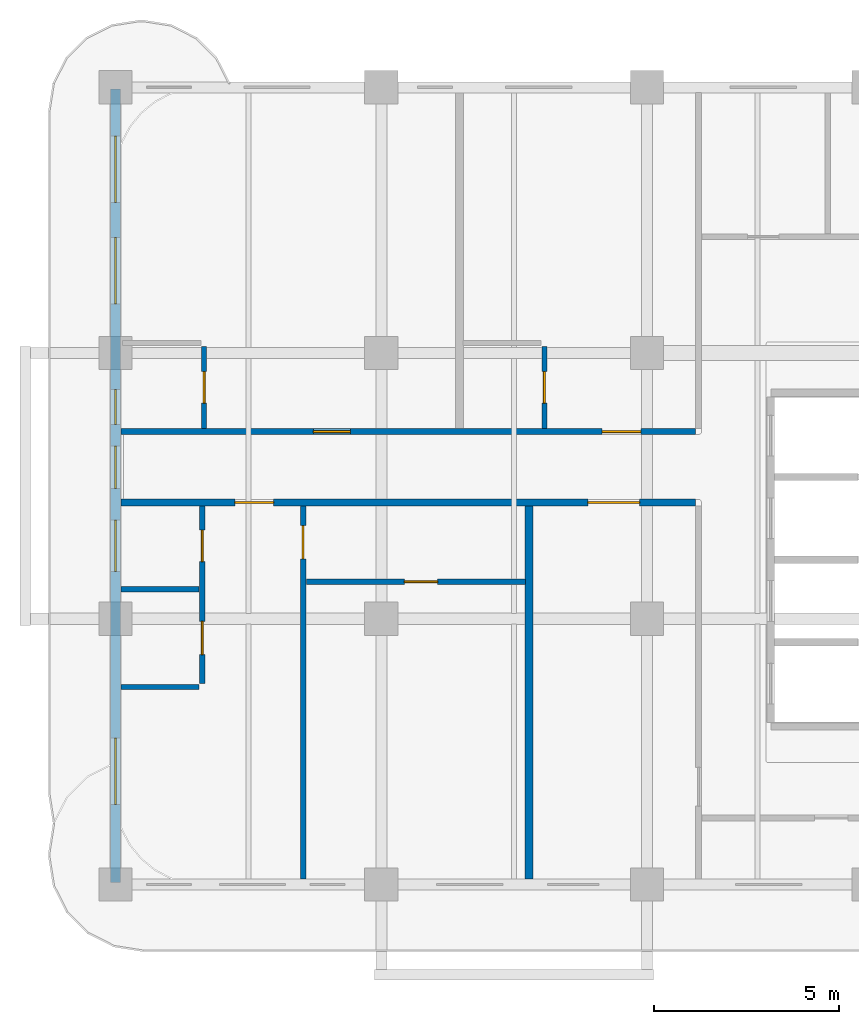
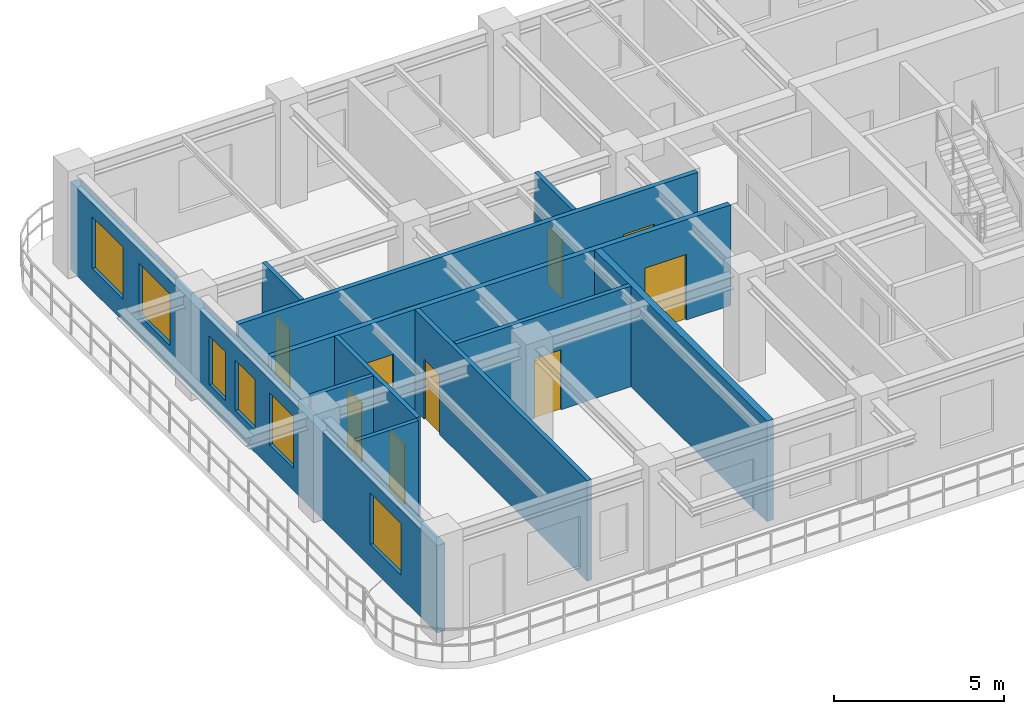
# One storey, part 2 of 7: 11 walls, 10 doors, 6 windows, 16 openings.
"""IFC4 building model written with IfcOpenShell, lengths in metres."""

import ifcopenshell
import ifcopenshell.guid

model = None  # the IFC model being written
_history = None  # IfcOwnerHistory: only IFC2X3 demands one
_inside = {}  # id of a spatial element -> (the spatial element, [elements in it])
_under = {}  # id of a project, library or spatial element -> (it, [spatial elements below it])
_declared = {}  # id of a project -> (the project, [libraries it declares])
_typed = {}  # id of a type object -> (the type object, [elements of that type])
_made_of = {}  # id of a material, layer set ... -> (it, [elements and type objects made of it])


def new_model(schema):
    """Start an empty IFC model of exactly this schema.

    Asked for "IFC4X3", IfcOpenShell would pick the latest addendum, in which some entities
    have other attributes; the version numbers below select the first issue.
    IFC2X3 requires an IfcOwnerHistory on every rooted entity: one is made here for all.
    """
    global model, _history
    if schema == "IFC4X3":
        model = ifcopenshell.file(schema_version=(4, 3, 0, 0))
    else:
        model = ifcopenshell.file(schema=schema)
    _inside.clear()
    _under.clear()
    _declared.clear()
    _typed.clear()
    _made_of.clear()
    _history = None
    if model.schema == "IFC2X3":
        org = make("IfcOrganization", Name="unknown")
        user = make(
            "IfcPersonAndOrganization",
            ThePerson=make("IfcPerson", FamilyName="unknown"),
            TheOrganization=org,
        )
        app = make(
            "IfcApplication",
            ApplicationDeveloper=org,
            Version="unknown",
            ApplicationFullName="unknown",
            ApplicationIdentifier="unknown",
        )
        _history = make(
            "IfcOwnerHistory",
            OwningUser=user,
            OwningApplication=app,
            ChangeAction="ADDED",
            CreationDate=0,
        )
    return model


def make(cls, **values):
    """One entity of the class cls with the attributes given. An attribute that is None is left unset."""
    return model.create_entity(
        cls, **{name: value for name, value in values.items() if value is not None}
    )


def rooted(cls, **values):
    """An entity with a GlobalId (a new one), such as an element, a storey or a relation."""
    return make(cls, GlobalId=ifcopenshell.guid.new(), OwnerHistory=_history, **values)


def si_unit(unit_type, name, prefix=None):
    """IfcSIUnit, for example si_unit("LENGTHUNIT", "METRE", prefix="MILLI")."""
    return make("IfcSIUnit", UnitType=unit_type, Prefix=prefix, Name=name)


def derived_unit(unit_type, elements):
    """IfcDerivedUnit: a product of units, each with its exponent."""
    return make(
        "IfcDerivedUnit",
        Elements=[
            make("IfcDerivedUnitElement", Unit=unit, Exponent=power)
            for unit, power in elements
        ],
        UnitType=unit_type,
    )


def assignment(units):
    """IfcUnitAssignment: the units of a project."""
    return None if units is None else make("IfcUnitAssignment", Units=units)


def point(xyz):
    """IfcCartesianPoint."""
    return None if xyz is None else make("IfcCartesianPoint", Coordinates=xyz)


def direction(xyz):
    """IfcDirection."""
    return None if xyz is None else make("IfcDirection", DirectionRatios=xyz)


def frame(location, z_axis=None, x_axis=None):
    """IfcAxis2Placement3D, a coordinate frame: its origin and axes. An axis left out is left unset."""
    return make(
        "IfcAxis2Placement3D",
        Location=point(location),
        Axis=direction(z_axis),
        RefDirection=direction(x_axis),
    )


def frame_2d(location, x_axis=None):
    """IfcAxis2Placement2D, a coordinate frame in the plane: its origin and x axis."""
    return make(
        "IfcAxis2Placement2D", Location=point(location), RefDirection=direction(x_axis)
    )


def origin():
    """The frame at (0, 0, 0) with its axes left unset."""
    return frame((0.0, 0.0, 0.0))


def place(relative_to, where):
    """IfcLocalPlacement: puts the frame where relative to a parent placement (None: the world)."""
    return make(
        "IfcLocalPlacement", PlacementRelTo=relative_to, RelativePlacement=where
    )


def context(
    kind, dimensions, precision=None, world=None, true_north=None, identifier=None
):
    """IfcGeometricRepresentationContext, for example the 3D "Model" context."""
    return make(
        "IfcGeometricRepresentationContext",
        ContextIdentifier=identifier,
        ContextType=kind,
        CoordinateSpaceDimension=dimensions,
        Precision=precision,
        WorldCoordinateSystem=world,
        TrueNorth=true_north,
    )


def subcontext(parent, identifier, kind, view, scale=None):
    """IfcGeometricRepresentationSubContext, for example "Body" below "Model"."""
    return make(
        "IfcGeometricRepresentationSubContext",
        ContextIdentifier=identifier,
        ContextType=kind,
        ParentContext=parent,
        TargetScale=scale,
        TargetView=view,
    )


def project(units=None, contexts=None):
    """IfcProject with its units and contexts."""
    return rooted(
        "IfcProject",
        Name="project",
        RepresentationContexts=contexts,
        UnitsInContext=assignment(units),
    )


def spatial(cls, under=None, at=None, **own):
    """A site, building, storey or space (cls), placed at a placement, below another one or the project."""
    s = rooted(cls, ObjectPlacement=at, **own)
    if under is not None:
        _under.setdefault(under.id(), (under, []))[1].append(s)
    return s


def profile(cls, at=None, kind="AREA", **sizes):
    """A parametric profile (cls). Its sizes go by their IFC names, for example OverallWidth=200.0."""
    return make(cls, ProfileType=kind, Position=at, **sizes)


def rectangle(**sizes):
    """IfcRectangleProfileDef."""
    return profile("IfcRectangleProfileDef", **sizes)


def extrude(swept, where, along, depth):
    """IfcExtrudedAreaSolid: the profile swept, set in the frame where, extruded along a direction by depth."""
    return make(
        "IfcExtrudedAreaSolid",
        SweptArea=swept,
        Position=where,
        ExtrudedDirection=direction(along),
        Depth=depth,
    )


def shape(context_of_items, identifier, shape_type, items):
    """IfcShapeRepresentation: the items that make up one representation, for example the "Body"."""
    return make(
        "IfcShapeRepresentation",
        ContextOfItems=context_of_items,
        RepresentationIdentifier=identifier,
        RepresentationType=shape_type,
        Items=items,
    )


def source(mapping_origin, context_of_items, identifier, shape_type, items):
    """IfcRepresentationMap: a shape defined once, which mapped items show again and again."""
    return make(
        "IfcRepresentationMap",
        MappingOrigin=mapping_origin,
        MappedRepresentation=shape(context_of_items, identifier, shape_type, items),
    )


def transform(
    local_origin,
    x_axis=None,
    y_axis=None,
    z_axis=None,
    scale=None,
    scale2=None,
    scale3=None,
    uniform=True,
):
    """IfcCartesianTransformationOperator3D, or its non-uniform kind. x_axis, y_axis, z_axis: its Axis1, 2, 3."""
    if uniform:
        return make(
            "IfcCartesianTransformationOperator3D",
            Axis1=direction(x_axis),
            Axis2=direction(y_axis),
            LocalOrigin=point(local_origin),
            Scale=scale,
            Axis3=direction(z_axis),
        )
    return make(
        "IfcCartesianTransformationOperator3DnonUniform",
        Axis1=direction(x_axis),
        Axis2=direction(y_axis),
        LocalOrigin=point(local_origin),
        Scale=scale,
        Axis3=direction(z_axis),
        Scale2=scale2,
        Scale3=scale3,
    )


def mapped(mapping_source, mapping_target):
    """IfcMappedItem: shows the shape of a source again, moved by a transform."""
    return make(
        "IfcMappedItem", MappingSource=mapping_source, MappingTarget=mapping_target
    )


def material(Name=None, Category=None):
    """IfcMaterial."""
    return make("IfcMaterial", Name=Name, Category=Category)


def layer(
    of_material, thickness, ventilated=None, Name=None, Category=None, Priority=None
):
    """IfcMaterialLayer: one layer of a wall or slab, of a material (None: an air gap)."""
    return make(
        "IfcMaterialLayer",
        Material=of_material,
        LayerThickness=thickness,
        IsVentilated=ventilated,
        Name=Name,
        Category=Category,
        Priority=Priority,
    )


def layer_set(layers, Name=None):
    """IfcMaterialLayerSet."""
    return make("IfcMaterialLayerSet", MaterialLayers=layers, LayerSetName=Name)


def made_of(thing, what):
    """Note that an element or type object is made of a material, layer set ...; save() writes the relation."""
    if what is not None:
        _made_of.setdefault(what.id(), (what, []))[1].append(thing)
    return thing


def type_object(cls, material=None, **own):
    """A type object (cls), such as IfcWallType, which elements share."""
    return made_of(rooted(cls, **own), material)


def type_shapes(of_type, sources):
    """Give a type object the sources (RepresentationMaps) that its elements show as mapped items."""
    of_type.RepresentationMaps = sources


def element(
    cls,
    number,
    at=None,
    inside=None,
    cuts=None,
    type_object=None,
    material=None,
    context=None,
    identifier="Body",
    shape_type=None,
    held_by="IfcProductDefinitionShape",
    body=None,
    shapes=None,
    **own,
):
    """One element of the class cls, such as IfcWall. Its Tag is "e" and its number.

    at: its placement. inside: the storey or other place that contains it. cuts: it is an
    opening in that element (IfcRelVoidsElement). A single representation is given by context,
    identifier, shape_type and body (its items); several are given by shapes. held_by: the class
    of the entity that holds the representations. save() writes the other relations.
    """
    e = rooted(cls, Tag="e%d" % number, ObjectPlacement=at, **own)
    if body is not None:
        shapes = [shape(context, identifier, shape_type, body)]
    if shapes is not None:
        e.Representation = make(held_by, Representations=shapes)
    if inside is not None:
        _inside.setdefault(inside.id(), (inside, []))[1].append(e)
    if cuts is not None:
        rooted(
            "IfcRelVoidsElement", RelatingBuildingElement=cuts, RelatedOpeningElement=e
        )
    if type_object is not None:
        _typed.setdefault(type_object.id(), (type_object, []))[1].append(e)
    return made_of(e, material)


def fill(opening, filler):
    """IfcRelFillsElement: the door or window that sits in an opening."""
    return rooted(
        "IfcRelFillsElement",
        RelatingOpeningElement=opening,
        RelatedBuildingElement=filler,
    )


def aggregate(whole, parts):
    """IfcRelAggregates: a whole, such as a stair, and the parts it consists of."""
    return rooted("IfcRelAggregates", RelatingObject=whole, RelatedObjects=parts)


def save(model, path):
    """Write the relations noted so far, then the file.

    IfcRelAggregates (storeys below a building ...), IfcRelContainedInSpatialStructure (elements
    in a storey), IfcRelDefinesByType, IfcRelAssociatesMaterial and IfcRelDeclares: one each for
    every whole, place, type object, material and project.
    """
    for whole, parts in _under.values():
        aggregate(whole, parts)
    for where, things in _inside.values():
        rooted(
            "IfcRelContainedInSpatialStructure",
            RelatedElements=things,
            RelatingStructure=where,
        )
    for kind, things in _typed.values():
        rooted("IfcRelDefinesByType", RelatedObjects=things, RelatingType=kind)
    for what, things in _made_of.values():
        rooted("IfcRelAssociatesMaterial", RelatedObjects=things, RelatingMaterial=what)
    for by, libraries in _declared.values():
        rooted("IfcRelDeclares", RelatingContext=by, RelatedDefinitions=libraries)
    model.write(path)


model = new_model("IFC4")

# Units and contexts
model_context = context("Model", 3, precision=1e-05, world=origin(), true_north=direction((0.0, 1.0)))
body_context = subcontext(model_context, "Body", "Model", "MODEL_VIEW")
ifc_project = project(units=[si_unit("LENGTHUNIT", "METRE"), si_unit("AREAUNIT", "SQUARE_METRE"), si_unit("VOLUMEUNIT", "CUBIC_METRE"), si_unit("PLANEANGLEUNIT", "RADIAN"), si_unit("MASSUNIT", "GRAM", prefix="KILO"), si_unit("THERMODYNAMICTEMPERATUREUNIT", "KELVIN"), si_unit("POWERUNIT", "WATT"), derived_unit("THERMALTRANSMITTANCEUNIT", [(si_unit("POWERUNIT", "WATT"), 1), (si_unit("AREAUNIT", "SQUARE_METRE"), -1), (si_unit("THERMODYNAMICTEMPERATUREUNIT", "KELVIN"), -1)])], contexts=[model_context])

# Site, building, storey
site_placement = place(None, origin())
site = spatial("IfcSite", under=ifc_project, at=site_placement, CompositionType="ELEMENT")
building_placement = place(site_placement, origin())
building = spatial("IfcBuilding", under=site, at=building_placement, Name="Zahravan Archway Hotel and Residences", CompositionType="ELEMENT")
storey_placement = place(building_placement, frame((0.0, 0.0, 236.550048828125)))
storey = spatial("IfcBuildingStorey", under=building, at=storey_placement, Name="L59", CompositionType="ELEMENT", Elevation=236.550048828125)

# Wall, openings, windows
ifc_material_1 = material(Name="Honed Red-Ochre Sandstone & Insulated Block", Category="masonry")
ifc_layer_1 = layer(ifc_material_1, 0.280029296875, Name="Honed Red-Ochre Sandstone & Insulated Block", Category="masonry")
ifc_layer_set_1 = layer_set([ifc_layer_1], Name="Honed Red-Ochre Sandstone & Insulated Block")
wall_type_1 = type_object("IfcWallType", Name="EW-LOG-280", PredefinedType="SOLIDWALL", material=ifc_layer_set_1)
wall_1_placement = place(storey_placement, frame((14.39990234375, 0.050048828125, 0.0), z_axis=(0.0, 0.0, 1.0), x_axis=(0.0, 1.0, 0.0)))
wall_1 = element("IfcWall", 1, at=wall_1_placement, inside=storey, type_object=wall_type_1, Name="L59 Exterior Sandstone Wall WA-W", PredefinedType="SOLIDWALL", context=body_context, shape_type="SweptSolid", body=[
    extrude(rectangle(XDim=21.5, YDim=0.280029296875, at=frame_2d((10.75, 0.0))), origin(), (0.0, 0.0, 1.0), 3.135009765625),
])
opening_1_placement = place(wall_1_placement, frame((2.12109375, 0.0, 0.800048828125)))
opening_1 = element("IfcOpeningElement", 2, at=opening_1_placement, cuts=wall_1, Name="Opening W-02", PredefinedType="OPENING", context=body_context, shape_type="SweptSolid", body=[
    extrude(rectangle(XDim=1.800048828125, YDim=1.85009765625, at=frame_2d((0.89990234375, 0.925048828125))), frame((0.0, 0.14990234375, 0.0), z_axis=(0.0, -1.0, 0.0), x_axis=(1.0, 0.0, 0.0)), (0.0, 0.0, 1.0), 0.300048828125),
])
opening_2_placement = place(wall_1_placement, frame((8.425048828125, 0.0, 0.800048828125)))
opening_2 = element("IfcOpeningElement", 3, at=opening_2_placement, cuts=wall_1, Name="Opening W-03", PredefinedType="OPENING", context=body_context, shape_type="SweptSolid", body=[
    extrude(rectangle(XDim=1.39990234375, YDim=1.85009765625, at=frame_2d((0.699951171875, 0.925048828125))), frame((0.0, 0.14990234375, 0.0), z_axis=(0.0, -1.0, 0.0), x_axis=(1.0, 0.0, 0.0)), (0.0, 0.0, 1.0), 0.300048828125),
])
opening_3_placement = place(wall_1_placement, frame((10.68505859375, 0.0, 0.800048828125)))
opening_3 = element("IfcOpeningElement", 4, at=opening_3_placement, cuts=wall_1, Name="Opening W-05", PredefinedType="OPENING", context=body_context, shape_type="SweptSolid", body=[
    extrude(rectangle(XDim=1.14990234375, YDim=1.800048828125, at=frame_2d((0.574951171875, 0.89990234375))), frame((0.0, 0.14990234375, 0.0), z_axis=(0.0, -1.0, 0.0), x_axis=(1.0, 0.0, 0.0)), (0.0, 0.0, 1.0), 0.300048828125),
])
opening_4_placement = place(wall_1_placement, frame((12.4140625, 0.0, 0.800048828125)))
opening_4 = element("IfcOpeningElement", 5, at=opening_4_placement, cuts=wall_1, Name="Opening W-04", PredefinedType="OPENING", context=body_context, shape_type="SweptSolid", body=[
    extrude(rectangle(XDim=0.949951171875, YDim=1.75, at=frame_2d((0.47509765625, 0.875))), frame((0.0, 0.14990234375, 0.0), z_axis=(0.0, -1.0, 0.0), x_axis=(1.0, 0.0, 0.0)), (0.0, 0.0, 1.0), 0.300048828125),
])
opening_5_placement = place(wall_1_placement, frame((15.675048828125, 0.0, 0.800048828125)))
opening_5 = element("IfcOpeningElement", 6, at=opening_5_placement, cuts=wall_1, Name="Opening W-02", PredefinedType="OPENING", context=body_context, shape_type="SweptSolid", body=[
    extrude(rectangle(XDim=1.800048828125, YDim=1.85009765625, at=frame_2d((0.89990234375, 0.925048828125))), frame((0.0, 0.14990234375, 0.0), z_axis=(0.0, -1.0, 0.0), x_axis=(1.0, 0.0, 0.0)), (0.0, 0.0, 1.0), 0.300048828125),
])
opening_6_placement = place(wall_1_placement, frame((18.425048828125, 0.0, 0.800048828125)))
opening_6 = element("IfcOpeningElement", 7, at=opening_6_placement, cuts=wall_1, Name="Opening W-02", PredefinedType="OPENING", context=body_context, shape_type="SweptSolid", body=[
    extrude(rectangle(XDim=1.800048828125, YDim=1.85009765625, at=frame_2d((0.89990234375, 0.925048828125))), frame((0.0, 0.14990234375, 0.0), z_axis=(0.0, -1.0, 0.0), x_axis=(1.0, 0.0, 0.0)), (0.0, 0.0, 1.0), 0.300048828125),
])
ifc_material_2 = material(Name="Bronze-Anodized Thermal-Break Aluminium & Low-E Glass", Category="aluminium")
window_type_1 = type_object("IfcWindowType", Name="WIN-TWR-1400", PartitioningType="SINGLE_PANEL", PredefinedType="WINDOW", material=ifc_material_2)
shared_shape_1 = source(origin(), body_context, "Body", "SweptSolid", [
    extrude(rectangle(XDim=1.39990234375, YDim=1.85009765625, at=frame_2d((0.699951171875, 0.925048828125))), frame((0.0, 0.030029296875, 0.0), z_axis=(0.0, -1.0, 0.0), x_axis=(1.0, 0.0, 0.0)), (0.0, 0.0, 1.0), 0.06005859375),
])
type_shapes(window_type_1, [shared_shape_1])
window_1_placement = place(opening_2_placement, origin())
window_1 = element("IfcWindow", 8, at=window_1_placement, inside=storey, type_object=window_type_1, Name="L59 Loggia Window 20", OverallHeight=1.85009765625, OverallWidth=1.39990234375, PartitioningType="SINGLE_PANEL", PredefinedType="WINDOW", context=body_context, shape_type="MappedRepresentation", body=[
    mapped(shared_shape_1, transform((0.0, 0.0, 0.0), scale=1.0)),
])
fill(opening_2, window_1)
window_type_2 = type_object("IfcWindowType", Name="WIN-NAR-950", PartitioningType="SINGLE_PANEL", PredefinedType="WINDOW", material=ifc_material_2)
shared_shape_2 = source(origin(), body_context, "Body", "SweptSolid", [
    extrude(rectangle(XDim=0.949951171875, YDim=1.75, at=frame_2d((0.47509765625, 0.875))), frame((0.0, 0.030029296875, 0.0), z_axis=(0.0, -1.0, 0.0), x_axis=(1.0, 0.0, 0.0)), (0.0, 0.0, 1.0), 0.06005859375),
])
type_shapes(window_type_2, [shared_shape_2])
window_2_placement = place(opening_4_placement, origin())
window_2 = element("IfcWindow", 9, at=window_2_placement, inside=storey, type_object=window_type_2, Name="L59 Loggia Window 22", OverallHeight=1.75, OverallWidth=0.949951171875, PartitioningType="SINGLE_PANEL", PredefinedType="WINDOW", context=body_context, shape_type="MappedRepresentation", body=[
    mapped(shared_shape_2, transform((0.0, 0.0, 0.0), scale=1.0)),
])
fill(opening_4, window_2)
window_type_3 = type_object("IfcWindowType", Name="WIN-TWR-1800", PartitioningType="DOUBLE_PANEL_VERTICAL", PredefinedType="WINDOW", material=ifc_material_2)
shared_shape_3 = source(origin(), body_context, "Body", "SweptSolid", [
    extrude(rectangle(XDim=1.800048828125, YDim=1.85009765625, at=frame_2d((0.89990234375, 0.925048828125))), frame((0.0, 0.030029296875, 0.0), z_axis=(0.0, -1.0, 0.0), x_axis=(1.0, 0.0, 0.0)), (0.0, 0.0, 1.0), 0.06005859375),
])
type_shapes(window_type_3, [shared_shape_3])
window_3_placement = place(opening_1_placement, origin())
window_3 = element("IfcWindow", 10, at=window_3_placement, inside=storey, type_object=window_type_3, Name="L59 Loggia Window 19", OverallHeight=1.85009765625, OverallWidth=1.800048828125, PartitioningType="DOUBLE_PANEL_VERTICAL", PredefinedType="WINDOW", context=body_context, shape_type="MappedRepresentation", body=[
    mapped(shared_shape_3, transform((0.0, 0.0, 0.0), scale=1.0)),
])
fill(opening_1, window_3)
window_4_placement = place(opening_5_placement, origin())
window_4 = element("IfcWindow", 11, at=window_4_placement, inside=storey, type_object=window_type_3, Name="L59 Loggia Window 23", OverallHeight=1.85009765625, OverallWidth=1.800048828125, PartitioningType="DOUBLE_PANEL_VERTICAL", PredefinedType="WINDOW", context=body_context, shape_type="MappedRepresentation", body=[
    mapped(shared_shape_3, transform((0.0, 0.0, 0.0), scale=1.0)),
])
fill(opening_5, window_4)
window_5_placement = place(opening_6_placement, origin())
window_5 = element("IfcWindow", 12, at=window_5_placement, inside=storey, type_object=window_type_3, Name="L59 Loggia Window 24", OverallHeight=1.85009765625, OverallWidth=1.800048828125, PartitioningType="DOUBLE_PANEL_VERTICAL", PredefinedType="WINDOW", context=body_context, shape_type="MappedRepresentation", body=[
    mapped(shared_shape_3, transform((0.0, 0.0, 0.0), scale=1.0)),
])
fill(opening_6, window_5)
window_type_4 = type_object("IfcWindowType", Name="WIN-TWR-1150", PartitioningType="SINGLE_PANEL", PredefinedType="WINDOW", material=ifc_material_2)
shared_shape_4 = source(origin(), body_context, "Body", "SweptSolid", [
    extrude(rectangle(XDim=1.14990234375, YDim=1.800048828125, at=frame_2d((0.574951171875, 0.89990234375))), frame((0.0, 0.030029296875, 0.0), z_axis=(0.0, -1.0, 0.0), x_axis=(1.0, 0.0, 0.0)), (0.0, 0.0, 1.0), 0.06005859375),
])
type_shapes(window_type_4, [shared_shape_4])
window_6_placement = place(opening_3_placement, origin())
window_6 = element("IfcWindow", 13, at=window_6_placement, inside=storey, type_object=window_type_4, Name="L59 Loggia Window 21", OverallHeight=1.800048828125, OverallWidth=1.14990234375, PartitioningType="SINGLE_PANEL", PredefinedType="WINDOW", context=body_context, shape_type="MappedRepresentation", body=[
    mapped(shared_shape_4, transform((0.0, 0.0, 0.0), scale=1.0)),
])
fill(opening_3, window_6)

# Wall
ifc_material_3 = material(Name="Fire-Rated Gypsum & Concrete Block", Category="concrete")
ifc_layer_2 = layer(ifc_material_3, 0.219970703125, Name="Fire-Rated Gypsum & Concrete Block", Category="concrete")
ifc_layer_set_2 = layer_set([ifc_layer_2], Name="Fire-Rated Gypsum & Concrete Block")
wall_type_2 = type_object("IfcWallType", Name="PW-COMP-220", PredefinedType="PARTITIONING", material=ifc_layer_set_2)
wall_2_placement = place(storey_placement, frame((25.60009765625, 0.14794921875, 0.0), z_axis=(0.0, 0.0, 1.0), x_axis=(0.0, 1.0, 0.0)))
element("IfcWall", 14, at=wall_2_placement, inside=storey, type_object=wall_type_2, Name="L59 Partition WAS-R3", PredefinedType="PARTITIONING", context=body_context, shape_type="SweptSolid", body=[
    extrude(rectangle(XDim=10.112060546875, YDim=0.219970703125, at=frame_2d((5.05615234375, 0.0))), origin(), (0.0, 0.0, 1.0), 3.599853515625),
])

# Wall, openings, doors
ifc_layer_3 = layer(ifc_material_3, 0.159912109375, Name="Fire-Rated Gypsum & Concrete Block", Category="concrete")
ifc_layer_set_3 = layer_set([ifc_layer_3], Name="Fire-Rated Gypsum & Concrete Block")
wall_type_3 = type_object("IfcWallType", Name="PW-CORR-160", PredefinedType="PARTITIONING", material=ifc_layer_set_3)
wall_3_placement = place(storey_placement, frame((14.548095703125, 12.27001953125, 0.0), z_axis=(0.0, 0.0, 1.0), x_axis=(1.0, 0.0, 0.0)))
wall_3 = element("IfcWall", 15, at=wall_3_placement, inside=storey, type_object=wall_type_3, Name="L59 Partition WA-CN", PredefinedType="PARTITIONING", context=body_context, shape_type="SweptSolid", body=[
    extrude(rectangle(XDim=15.56201171875, YDim=0.159912109375, at=frame_2d((7.781005859375, 0.0))), origin(), (0.0, 0.0, 1.0), 3.599853515625),
])
opening_7_placement = place(wall_3_placement, frame((5.2119140625, 0.0, 0.0)))
opening_7 = element("IfcOpeningElement", 16, at=opening_7_placement, cuts=wall_3, Name="Opening D-U2", PredefinedType="OPENING", context=body_context, shape_type="SweptSolid", body=[
    extrude(rectangle(XDim=1.0, YDim=2.199951171875, at=frame_2d((0.5, 1.10009765625))), frame((0.0, 0.08984375, 0.0), z_axis=(0.0, -1.0, 0.0), x_axis=(1.0, 0.0, 0.0)), (0.0, 0.0, 1.0), 0.179931640625),
])
opening_8_placement = place(wall_3_placement, frame((13.037109375, 0.0, 0.0)))
opening_8 = element("IfcOpeningElement", 17, at=opening_8_placement, cuts=wall_3, Name="Opening D-U1", PredefinedType="OPENING", context=body_context, shape_type="SweptSolid", body=[
    extrude(rectangle(XDim=1.050048828125, YDim=2.25, at=frame_2d((0.52490234375, 1.125))), frame((0.0, 0.08984375, 0.0), z_axis=(0.0, -1.0, 0.0), x_axis=(1.0, 0.0, 0.0)), (0.0, 0.0, 1.0), 0.179931640625),
])
ifc_material_4 = material(Name="Hardwood Veneer Timber", Category="wood")
door_type_1 = type_object("IfcDoorType", Name="ID-UNIT-1050", OperationType="NOTDEFINED", PredefinedType="DOOR", material=ifc_material_4)
shared_shape_5 = source(origin(), body_context, "Body", "SweptSolid", [
    extrude(rectangle(XDim=1.050048828125, YDim=2.25, at=frame_2d((0.52490234375, 1.125))), frame((0.0, 0.02490234375, 0.0), z_axis=(0.0, -1.0, 0.0), x_axis=(1.0, 0.0, 0.0)), (0.0, 0.0, 1.0), 0.050048828125),
])
type_shapes(door_type_1, [shared_shape_5])
door_1_placement = place(opening_8_placement, origin())
door_1 = element("IfcDoor", 18, at=door_1_placement, inside=storey, type_object=door_type_1, Name="L59 Hotel Guestroom 86 Entrance Door", OperationType="SINGLE_SWING_LEFT", OverallHeight=2.25, OverallWidth=1.050048828125, PredefinedType="DOOR", context=body_context, shape_type="MappedRepresentation", body=[
    mapped(shared_shape_5, transform((0.0, 0.0, 0.0), scale=1.0)),
])
fill(opening_8, door_1)
door_type_2 = type_object("IfcDoorType", Name="ID-UNIT-1000", OperationType="NOTDEFINED", PredefinedType="DOOR", material=ifc_material_4)
shared_shape_6 = source(origin(), body_context, "Body", "SweptSolid", [
    extrude(rectangle(XDim=1.0, YDim=2.199951171875, at=frame_2d((0.5, 1.10009765625))), frame((0.0, 0.02490234375, 0.0), z_axis=(0.0, -1.0, 0.0), x_axis=(1.0, 0.0, 0.0)), (0.0, 0.0, 1.0), 0.050048828125),
])
type_shapes(door_type_2, [shared_shape_6])
door_2_placement = place(opening_7_placement, origin())
door_2 = element("IfcDoor", 19, at=door_2_placement, inside=storey, type_object=door_type_2, Name="L59 Hotel Guestroom 85 Entrance Door", OperationType="SINGLE_SWING_RIGHT", OverallHeight=2.199951171875, OverallWidth=1.0, PredefinedType="DOOR", context=body_context, shape_type="MappedRepresentation", body=[
    mapped(shared_shape_6, transform((0.0, 0.0, 0.0), scale=1.0)),
])
fill(opening_7, door_2)

ifc_layer_4 = layer(ifc_material_3, 0.179931640625, Name="Fire-Rated Gypsum & Concrete Block", Category="concrete")
ifc_layer_set_4 = layer_set([ifc_layer_4], Name="Fire-Rated Gypsum & Concrete Block")
wall_type_4 = type_object("IfcWallType", Name="PW-CORR-180", PredefinedType="PARTITIONING", material=ifc_layer_set_4)
wall_4_placement = place(storey_placement, frame((14.548095703125, 10.35009765625, 0.0), z_axis=(0.0, 0.0, 1.0), x_axis=(1.0, 0.0, 0.0)))
wall_4 = element("IfcWall", 20, at=wall_4_placement, inside=storey, type_object=wall_type_4, Name="L59 Partition WA-CS", PredefinedType="PARTITIONING", context=body_context, shape_type="SweptSolid", body=[
    extrude(rectangle(XDim=15.56201171875, YDim=0.179931640625, at=frame_2d((7.781005859375, 0.0))), origin(), (0.0, 0.0, 1.0), 3.599853515625),
])
opening_9_placement = place(wall_4_placement, frame((3.08203125, 0.0, 0.0)))
opening_9 = element("IfcOpeningElement", 21, at=opening_9_placement, cuts=wall_4, Name="Opening D-U1", PredefinedType="OPENING", context=body_context, shape_type="SweptSolid", body=[
    extrude(rectangle(XDim=1.050048828125, YDim=2.25, at=frame_2d((0.52490234375, 1.125))), frame((0.0, 0.10009765625, 0.0), z_axis=(0.0, -1.0, 0.0), x_axis=(1.0, 0.0, 0.0)), (0.0, 0.0, 1.0), 0.199951171875),
])
opening_10_placement = place(wall_4_placement, frame((12.652099609375, 0.0, 0.0)))
opening_10 = element("IfcOpeningElement", 22, at=opening_10_placement, cuts=wall_4, Name="Opening D-P1", PredefinedType="OPENING", context=body_context, shape_type="SweptSolid", body=[
    extrude(rectangle(XDim=1.39990234375, YDim=2.35009765625, at=frame_2d((0.699951171875, 1.175048828125))), frame((0.0, 0.10009765625, 0.0), z_axis=(0.0, -1.0, 0.0), x_axis=(1.0, 0.0, 0.0)), (0.0, 0.0, 1.0), 0.199951171875),
])
ifc_material_5 = material(Name="Bronze-Anodized Glazed Aluminium", Category="aluminium")
door_type_3 = type_object("IfcDoorType", Name="ID-PUBLIC-1400", OperationType="DOUBLE_DOOR_SINGLE_SWING", PredefinedType="DOOR", material=ifc_material_5)
shared_shape_7 = source(origin(), body_context, "Body", "SweptSolid", [
    extrude(rectangle(XDim=1.39990234375, YDim=2.35009765625, at=frame_2d((0.699951171875, 1.175048828125))), frame((0.0, 0.02490234375, 0.0), z_axis=(0.0, -1.0, 0.0), x_axis=(1.0, 0.0, 0.0)), (0.0, 0.0, 1.0), 0.050048828125),
])
type_shapes(door_type_3, [shared_shape_7])
door_3_placement = place(opening_10_placement, origin())
door_3 = element("IfcDoor", 23, at=door_3_placement, inside=storey, type_object=door_type_3, Name="L59 South Yoga Salon Door", OperationType="DOUBLE_DOOR_SINGLE_SWING", OverallHeight=2.35009765625, OverallWidth=1.39990234375, PredefinedType="DOOR", context=body_context, shape_type="MappedRepresentation", body=[
    mapped(shared_shape_7, transform((0.0, 0.0, 0.0), scale=1.0)),
])
fill(opening_10, door_3)
door_4_placement = place(opening_9_placement, origin())
door_4 = element("IfcDoor", 24, at=door_4_placement, inside=storey, type_object=door_type_1, Name="L59 Flat S1 Entrance Door", OperationType="SINGLE_SWING_RIGHT", OverallHeight=2.25, OverallWidth=1.050048828125, PredefinedType="DOOR", context=body_context, shape_type="MappedRepresentation", body=[
    mapped(shared_shape_5, transform((0.0, 0.0, 0.0), scale=1.0)),
])
fill(opening_9, door_4)

# Wall, opening, door
ifc_material_6 = material(Name="Acoustic Stud Partition")
ifc_layer_5 = layer(ifc_material_6, 0.14990234375, Name="Acoustic Stud Partition")
ifc_layer_set_5 = layer_set([ifc_layer_5], Name="Acoustic Stud Partition")
wall_type_5 = type_object("IfcWallType", Name="PW-UNIT-150", PredefinedType="PARTITIONING", material=ifc_layer_set_5)
wall_5_placement = place(storey_placement, frame((19.47998046875, 0.14794921875, 0.0), z_axis=(0.0, 0.0, 1.0), x_axis=(0.0, 1.0, 0.0)))
wall_5 = element("IfcWall", 25, at=wall_5_placement, inside=storey, type_object=wall_type_5, Name="L59 Partition FL-S1-SP", PredefinedType="PARTITIONING", context=body_context, shape_type="SweptSolid", body=[
    extrude(rectangle(XDim=10.112060546875, YDim=0.14990234375, at=frame_2d((5.05615234375, 0.0))), origin(), (0.0, 0.0, 1.0), 3.599853515625),
])
opening_11_placement = place(wall_5_placement, frame((8.677001953125, 0.0, 0.0)))
opening_11 = element("IfcOpeningElement", 26, at=opening_11_placement, cuts=wall_5, Name="Opening D-I2", PredefinedType="OPENING", context=body_context, shape_type="SweptSolid", body=[
    extrude(rectangle(XDim=0.89990234375, YDim=2.14990234375, at=frame_2d((0.449951171875, 1.074951171875))), frame((0.0, 0.0849609375, 0.0), z_axis=(0.0, -1.0, 0.0), x_axis=(1.0, 0.0, 0.0)), (0.0, 0.0, 1.0), 0.169921875),
])
door_type_4 = type_object("IfcDoorType", Name="ID-INT-900", OperationType="NOTDEFINED", PredefinedType="DOOR", material=ifc_material_4)
shared_shape_8 = source(origin(), body_context, "Body", "SweptSolid", [
    extrude(rectangle(XDim=0.89990234375, YDim=2.14990234375, at=frame_2d((0.449951171875, 1.074951171875))), frame((0.0, 0.02490234375, 0.0), z_axis=(0.0, -1.0, 0.0), x_axis=(1.0, 0.0, 0.0)), (0.0, 0.0, 1.0), 0.050048828125),
])
type_shapes(door_type_4, [shared_shape_8])
door_5_placement = place(opening_11_placement, origin())
door_5 = element("IfcDoor", 27, at=door_5_placement, inside=storey, type_object=door_type_4, Name="L59 Flat S1 Bedroom Hall Door", OperationType="SINGLE_SWING_LEFT", OverallHeight=2.14990234375, OverallWidth=0.89990234375, PredefinedType="DOOR", context=body_context, shape_type="MappedRepresentation", body=[
    mapped(shared_shape_8, transform((0.0, 0.0, 0.0), scale=1.0)),
])
fill(opening_11, door_5)

wall_6_placement = place(storey_placement, frame((19.570068359375, 8.199951171875, 0.0), z_axis=(0.0, 0.0, 1.0), x_axis=(1.0, 0.0, 0.0)))
wall_6 = element("IfcWall", 28, at=wall_6_placement, inside=storey, type_object=wall_type_5, Name="L59 Partition FL-S1-GH", PredefinedType="PARTITIONING", context=body_context, shape_type="SweptSolid", body=[
    extrude(rectangle(XDim=5.93994140625, YDim=0.14990234375, at=frame_2d((2.969970703125, 0.0))), origin(), (0.0, 0.0, 1.0), 3.599853515625),
])
opening_12_placement = place(wall_6_placement, frame((2.65869140625, 0.0, 0.0)))
opening_12 = element("IfcOpeningElement", 29, at=opening_12_placement, cuts=wall_6, Name="Opening D-I2", PredefinedType="OPENING", context=body_context, shape_type="SweptSolid", body=[
    extrude(rectangle(XDim=0.89990234375, YDim=2.14990234375, at=frame_2d((0.449951171875, 1.074951171875))), frame((0.0, 0.0849609375, 0.0), z_axis=(0.0, -1.0, 0.0), x_axis=(1.0, 0.0, 0.0)), (0.0, 0.0, 1.0), 0.169921875),
])
door_6_placement = place(opening_12_placement, origin())
door_6 = element("IfcDoor", 30, at=door_6_placement, inside=storey, type_object=door_type_4, Name="L59 Flat S1 Bedroom 1 Door", OperationType="SINGLE_SWING_RIGHT", OverallHeight=2.14990234375, OverallWidth=0.89990234375, PredefinedType="DOOR", context=body_context, shape_type="MappedRepresentation", body=[
    mapped(shared_shape_8, transform((0.0, 0.0, 0.0), scale=1.0)),
])
fill(opening_12, door_6)

# Wall, openings, doors
ifc_material_7 = material(Name="Moisture-Resistant Blockwork", Category="masonry")
ifc_layer_6 = layer(ifc_material_7, 0.139892578125, Name="Moisture-Resistant Blockwork", Category="masonry")
ifc_layer_set_6 = layer_set([ifc_layer_6], Name="Moisture-Resistant Blockwork")
wall_type_6 = type_object("IfcWallType", Name="PW-WET-140", PredefinedType="PARTITIONING", material=ifc_layer_set_6)
wall_7_placement = place(storey_placement, frame((16.75, 5.43994140625, 0.0), z_axis=(0.0, 0.0, 1.0), x_axis=(0.0, 1.0, 0.0)))
wall_7 = element("IfcWall", 31, at=wall_7_placement, inside=storey, type_object=wall_type_6, Name="L59 Partition FL-S1-BV", PredefinedType="PARTITIONING", context=body_context, shape_type="SweptSolid", body=[
    extrude(rectangle(XDim=4.820068359375, YDim=0.139892578125, at=frame_2d((2.41015625, 0.0))), origin(), (0.0, 0.0, 1.0), 3.599853515625),
])
opening_13_placement = place(wall_7_placement, frame((0.784912109375, 0.0, 0.0)))
opening_13 = element("IfcOpeningElement", 32, at=opening_13_placement, cuts=wall_7, Name="Opening D-I2", PredefinedType="OPENING", context=body_context, shape_type="SweptSolid", body=[
    extrude(rectangle(XDim=0.89990234375, YDim=2.14990234375, at=frame_2d((0.449951171875, 1.074951171875))), frame((0.0, 0.080078125, 0.0), z_axis=(0.0, -1.0, 0.0), x_axis=(1.0, 0.0, 0.0)), (0.0, 0.0, 1.0), 0.159912109375),
])
opening_14_placement = place(wall_7_placement, frame((3.31005859375, 0.0, 0.0)))
opening_14 = element("IfcOpeningElement", 33, at=opening_14_placement, cuts=wall_7, Name="Opening D-B1", PredefinedType="OPENING", context=body_context, shape_type="SweptSolid", body=[
    extrude(rectangle(XDim=0.85009765625, YDim=2.10009765625, at=frame_2d((0.425048828125, 1.050048828125))), frame((0.0, 0.080078125, 0.0), z_axis=(0.0, -1.0, 0.0), x_axis=(1.0, 0.0, 0.0)), (0.0, 0.0, 1.0), 0.159912109375),
])
door_type_5 = type_object("IfcDoorType", Name="ID-BATH-850", OperationType="NOTDEFINED", PredefinedType="DOOR", material=ifc_material_4)
shared_shape_9 = source(origin(), body_context, "Body", "SweptSolid", [
    extrude(rectangle(XDim=0.85009765625, YDim=2.10009765625, at=frame_2d((0.425048828125, 1.050048828125))), frame((0.0, 0.02490234375, 0.0), z_axis=(0.0, -1.0, 0.0), x_axis=(1.0, 0.0, 0.0)), (0.0, 0.0, 1.0), 0.050048828125),
])
type_shapes(door_type_5, [shared_shape_9])
door_7_placement = place(opening_14_placement, origin())
door_7 = element("IfcDoor", 34, at=door_7_placement, inside=storey, type_object=door_type_5, Name="L59 Flat S1 Bathroom Door", OperationType="SINGLE_SWING_LEFT", OverallHeight=2.10009765625, OverallWidth=0.85009765625, PredefinedType="DOOR", context=body_context, shape_type="MappedRepresentation", body=[
    mapped(shared_shape_9, transform((0.0, 0.0, 0.0), scale=1.0)),
])
fill(opening_14, door_7)
door_8_placement = place(opening_13_placement, origin())
door_8 = element("IfcDoor", 35, at=door_8_placement, inside=storey, type_object=door_type_4, Name="L59 Flat S1 Kitchen Door", OperationType="SINGLE_SWING_RIGHT", OverallHeight=2.14990234375, OverallWidth=0.89990234375, PredefinedType="DOOR", context=body_context, shape_type="MappedRepresentation", body=[
    mapped(shared_shape_8, transform((0.0, 0.0, 0.0), scale=1.0)),
])
fill(opening_13, door_8)

# Walls
for number, where, z_axis, x_axis, name in (
    (36, (14.548095703125, 8.0, 0.0), (0.0, 0.0, 1.0), (1.0, 0.0, 0.0), "L59 Partition FL-S1-BM"),
    (37, (14.548095703125, 5.35009765625, 0.0), (0.0, 0.0, 1.0), (1.0, 0.0, 0.0), "L59 Partition FL-S1-KH"),
):
    element("IfcWall", number, at=place(storey_placement, frame(where, z_axis=z_axis, x_axis=x_axis)), inside=storey, type_object=wall_type_6, Name=name, PredefinedType="PARTITIONING", context=body_context, shape_type="SweptSolid", body=[
        extrude(rectangle(XDim=2.11181640625, YDim=0.139892578125, at=frame_2d((1.055908203125, 0.0))), origin(), (0.0, 0.0, 1.0), 3.599853515625),
    ])

# Wall, opening, door
wall_8_placement = place(storey_placement, frame((16.800048828125, 12.360107421875, 0.0), z_axis=(0.0, 0.0, 1.0), x_axis=(0.0, 1.0, 0.0)))
wall_8 = element("IfcWall", 38, at=wall_8_placement, inside=storey, type_object=wall_type_6, Name="L59 Partition HKB-V85", PredefinedType="PARTITIONING", context=body_context, shape_type="SweptSolid", body=[
    extrude(rectangle(XDim=2.219970703125, YDim=0.139892578125, at=frame_2d((1.10986328125, 0.0))), origin(), (0.0, 0.0, 1.0), 3.599853515625),
])
opening_15_placement = place(wall_8_placement, frame((0.68505859375, 0.0, 0.0)))
opening_15 = element("IfcOpeningElement", 39, at=opening_15_placement, cuts=wall_8, Name="Opening D-B1", PredefinedType="OPENING", context=body_context, shape_type="SweptSolid", body=[
    extrude(rectangle(XDim=0.85009765625, YDim=2.10009765625, at=frame_2d((0.425048828125, 1.050048828125))), frame((0.0, 0.080078125, 0.0), z_axis=(0.0, -1.0, 0.0), x_axis=(1.0, 0.0, 0.0)), (0.0, 0.0, 1.0), 0.159912109375),
])
door_9_placement = place(opening_15_placement, origin())
door_9 = element("IfcDoor", 40, at=door_9_placement, inside=storey, type_object=door_type_5, Name="L59 Guestroom 85 En-Suite Door", OperationType="SINGLE_SWING_LEFT", OverallHeight=2.10009765625, OverallWidth=0.85009765625, PredefinedType="DOOR", context=body_context, shape_type="MappedRepresentation", body=[
    mapped(shared_shape_9, transform((0.0, 0.0, 0.0), scale=1.0)),
])
fill(opening_15, door_9)

wall_9_placement = place(storey_placement, frame((26.02001953125, 12.360107421875, 0.0), z_axis=(0.0, 0.0, 1.0), x_axis=(0.0, 1.0, 0.0)))
wall_9 = element("IfcWall", 41, at=wall_9_placement, inside=storey, type_object=wall_type_6, Name="L59 Partition HKB-V86", PredefinedType="PARTITIONING", context=body_context, shape_type="SweptSolid", body=[
    extrude(rectangle(XDim=2.219970703125, YDim=0.139892578125, at=frame_2d((1.10986328125, 0.0))), origin(), (0.0, 0.0, 1.0), 3.599853515625),
])
opening_16_placement = place(wall_9_placement, frame((0.68505859375, 0.0, 0.0)))
opening_16 = element("IfcOpeningElement", 42, at=opening_16_placement, cuts=wall_9, Name="Opening D-B1", PredefinedType="OPENING", context=body_context, shape_type="SweptSolid", body=[
    extrude(rectangle(XDim=0.85009765625, YDim=2.10009765625, at=frame_2d((0.425048828125, 1.050048828125))), frame((0.0, 0.080078125, 0.0), z_axis=(0.0, -1.0, 0.0), x_axis=(1.0, 0.0, 0.0)), (0.0, 0.0, 1.0), 0.159912109375),
])
door_10_placement = place(opening_16_placement, origin())
door_10 = element("IfcDoor", 43, at=door_10_placement, inside=storey, type_object=door_type_5, Name="L59 Guestroom 86 En-Suite Door", OperationType="SINGLE_SWING_LEFT", OverallHeight=2.10009765625, OverallWidth=0.85009765625, PredefinedType="DOOR", context=body_context, shape_type="MappedRepresentation", body=[
    mapped(shared_shape_9, transform((0.0, 0.0, 0.0), scale=1.0)),
])
fill(opening_16, door_10)

save(model, "model.ifc")
